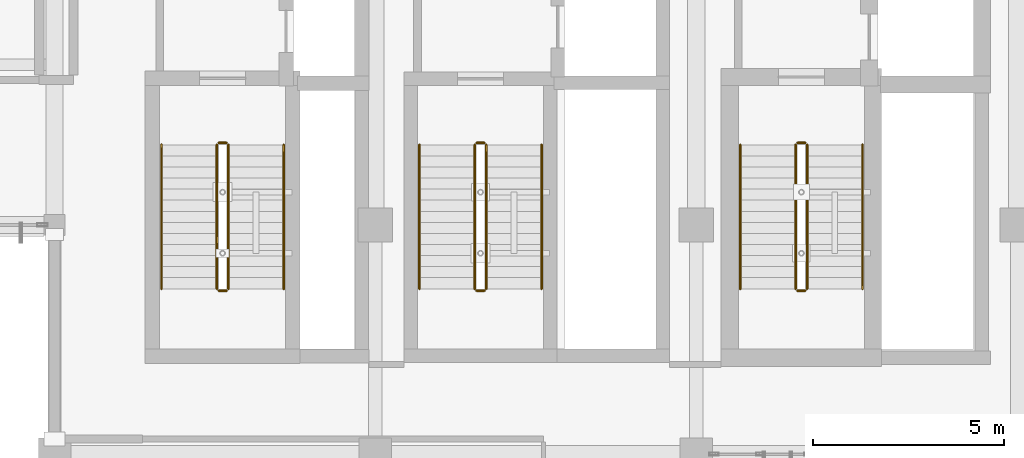
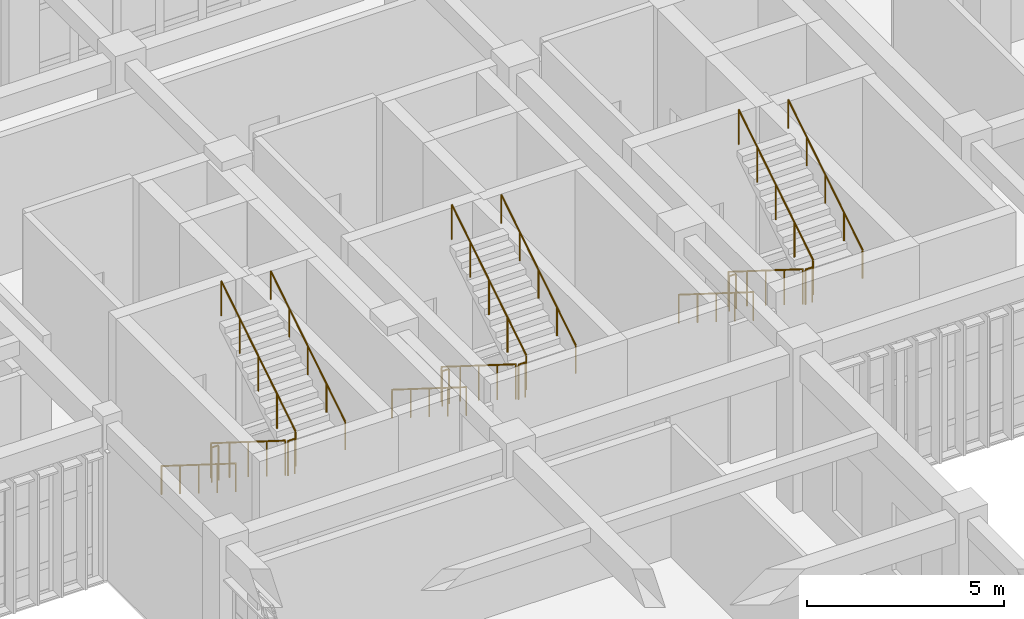
# One storey, part 106 of 106: 18 railings.
"""IFC4 building model written with IfcOpenShell, lengths in metres."""

from ifc_helpers import new_model, si_unit, direction, frame, origin, origin_2d, place, context, subcontext, project, spatial, circle, extrude, material, type_object, element, save


model = new_model("IFC4")

# Units and contexts
model_context = context("Model", 3, precision=1e-05, world=origin(), true_north=direction((0.0, 1.0)))
body_context = subcontext(model_context, "Body", "Model", "MODEL_VIEW")
ifc_project = project(units=[si_unit("LENGTHUNIT", "METRE"), si_unit("AREAUNIT", "SQUARE_METRE"), si_unit("VOLUMEUNIT", "CUBIC_METRE"), si_unit("PLANEANGLEUNIT", "RADIAN"), si_unit("MASSUNIT", "GRAM", prefix="KILO")], contexts=[model_context])

# Site, building, storey
site_placement = place(None, origin())
site = spatial("IfcSite", under=ifc_project, at=site_placement, CompositionType="ELEMENT")
building_placement = place(site_placement, origin())
building = spatial("IfcBuilding", under=site, at=building_placement, Name="Krzemoval Escarpment Law Courts", CompositionType="ELEMENT")
storey_placement = place(building_placement, frame((0.0, 0.0, 5.10009765625)))
storey = spatial("IfcBuildingStorey", under=building, at=storey_placement, Name="L01", CompositionType="ELEMENT", Elevation=5.10009765625)

# Railings
ifc_material_1 = material(Name="Galvanised Steel S355", Category="steel")
railing_type_1 = type_object("IfcRailingType", Name="RL-GRD-1100", PredefinedType="GUARDRAIL", material=ifc_material_1)
railing_1_placement = place(storey_placement, frame((130.25, 101.699951171875, 0.18212890625)))
element("IfcRailing", 1, at=railing_1_placement, inside=storey, type_object=railing_type_1, Name="L01 ST1 stair guard 1", PredefinedType="GUARDRAIL", context=body_context, shape_type="SweptSolid", body=[
    extrude(circle(Radius=0.02392578125, at=origin_2d()), frame((0.0, 0.0, 1.076171875), z_axis=(0.0, -0.846844037257, 0.531841307688), x_axis=(1.0, 0.0, 0.0)), (0.0, 0.0, 1.0), 4.451904296875),
    extrude(circle(Radius=0.02099609375, at=origin_2d()), origin(), (0.0, 0.0, 1.0), 1.052001953125),
    extrude(circle(Radius=0.02099609375, at=origin_2d()), frame((0.0, -0.9423828125, 0.591796875)), (0.0, 0.0, 1.0), 1.052001953125),
    extrude(circle(Radius=0.02099609375, at=origin_2d()), frame((0.0, -1.885009765625, 1.183837890625)), (0.0, 0.0, 1.0), 1.052001953125),
    extrude(circle(Radius=0.02099609375, at=origin_2d()), frame((0.0, -2.82763671875, 1.77587890625)), (0.0, 0.0, 1.0), 1.052001953125),
    extrude(circle(Radius=0.02099609375, at=origin_2d()), frame((0.0, -3.77001953125, 2.36767578125)), (0.0, 0.0, 1.0), 1.052001953125),
])
railing_2_placement = place(storey_placement, frame((130.300048828125, 97.8798828125, 2.5498046875)))
element("IfcRailing", 2, at=railing_2_placement, inside=storey, type_object=railing_type_1, Name="L01 ST1 stair guard 2", PredefinedType="GUARDRAIL", context=body_context, shape_type="SweptSolid", body=[
    extrude(circle(Radius=0.02392578125, at=origin_2d()), frame((0.0, 0.0, 1.076171875), z_axis=(1.0, 0.0, 0.0), x_axis=(0.0, 1.0, 0.0)), (0.0, 0.0, 1.0), 0.199951171875),
    extrude(circle(Radius=0.02099609375, at=origin_2d()), origin(), (0.0, 0.0, 1.0), 1.052001953125),
    extrude(circle(Radius=0.02099609375, at=origin_2d()), frame((0.199951171875, 0.0, 0.0)), (0.0, 0.0, 1.0), 1.052001953125),
])
railing_3_placement = place(storey_placement, frame((130.550048828125, 97.929931640625, 2.73193359375)))
element("IfcRailing", 3, at=railing_3_placement, inside=storey, type_object=railing_type_1, Name="L01 ST1 stair guard 3", PredefinedType="GUARDRAIL", context=body_context, shape_type="SweptSolid", body=[
    extrude(circle(Radius=0.02392578125, at=origin_2d()), frame((0.0, 0.0, 1.076171875), z_axis=(0.0, 0.846819337722, 0.53188063441), x_axis=(-1.0, 0.0, 0.0)), (0.0, 0.0, 1.0), 4.451904296875),
    extrude(circle(Radius=0.02099609375, at=origin_2d()), origin(), (0.0, 0.0, 1.0), 1.052001953125),
    extrude(circle(Radius=0.02099609375, at=origin_2d()), frame((0.0, 0.9423828125, 0.592041015625)), (0.0, 0.0, 1.0), 1.052001953125),
    extrude(circle(Radius=0.02099609375, at=origin_2d()), frame((0.0, 1.885009765625, 1.18408203125)), (0.0, 0.0, 1.0), 1.052001953125),
    extrude(circle(Radius=0.02099609375, at=origin_2d()), frame((0.0, 2.82763671875, 1.77587890625)), (0.0, 0.0, 1.0), 1.052001953125),
    extrude(circle(Radius=0.02099609375, at=origin_2d()), frame((0.0, 3.77001953125, 2.367919921875)), (0.0, 0.0, 1.0), 1.052001953125),
])
railing_4_placement = place(storey_placement, frame((130.300048828125, 101.75, 0.0)))
element("IfcRailing", 4, at=railing_4_placement, inside=storey, type_object=railing_type_1, Name="L01 ST1 stair guard 4", PredefinedType="GUARDRAIL", context=body_context, shape_type="SweptSolid", body=[
    extrude(circle(Radius=0.02392578125, at=origin_2d()), frame((0.0, 0.0, 1.076171875), z_axis=(1.0, 0.0, 0.0), x_axis=(0.0, 1.0, 0.0)), (0.0, 0.0, 1.0), 0.199951171875),
    extrude(circle(Radius=0.02099609375, at=origin_2d()), origin(), (0.0, 0.0, 1.0), 1.052001953125),
    extrude(circle(Radius=0.02099609375, at=origin_2d()), frame((0.199951171875, 0.0, 0.0)), (0.0, 0.0, 1.0), 1.052001953125),
])
railing_5_placement = place(storey_placement, frame((137.0, 101.699951171875, 0.18212890625)))
element("IfcRailing", 5, at=railing_5_placement, inside=storey, type_object=railing_type_1, Name="L01 ST2 stair guard 1", PredefinedType="GUARDRAIL", context=body_context, shape_type="SweptSolid", body=[
    extrude(circle(Radius=0.02392578125, at=origin_2d()), frame((0.0, 0.0, 1.076171875), z_axis=(0.0, -0.846844037257, 0.531841307688), x_axis=(1.0, 0.0, 0.0)), (0.0, 0.0, 1.0), 4.451904296875),
    extrude(circle(Radius=0.02099609375, at=origin_2d()), origin(), (0.0, 0.0, 1.0), 1.052001953125),
    extrude(circle(Radius=0.02099609375, at=origin_2d()), frame((0.0, -0.9423828125, 0.591796875)), (0.0, 0.0, 1.0), 1.052001953125),
    extrude(circle(Radius=0.02099609375, at=origin_2d()), frame((0.0, -1.885009765625, 1.183837890625)), (0.0, 0.0, 1.0), 1.052001953125),
    extrude(circle(Radius=0.02099609375, at=origin_2d()), frame((0.0, -2.82763671875, 1.77587890625)), (0.0, 0.0, 1.0), 1.052001953125),
    extrude(circle(Radius=0.02099609375, at=origin_2d()), frame((0.0, -3.77001953125, 2.36767578125)), (0.0, 0.0, 1.0), 1.052001953125),
])
railing_6_placement = place(storey_placement, frame((137.050048828125, 97.8798828125, 2.5498046875)))
element("IfcRailing", 6, at=railing_6_placement, inside=storey, type_object=railing_type_1, Name="L01 ST2 stair guard 2", PredefinedType="GUARDRAIL", context=body_context, shape_type="SweptSolid", body=[
    extrude(circle(Radius=0.02392578125, at=origin_2d()), frame((0.0, 0.0, 1.076171875), z_axis=(1.0, 0.0, 0.0), x_axis=(0.0, 1.0, 0.0)), (0.0, 0.0, 1.0), 0.199951171875),
    extrude(circle(Radius=0.02099609375, at=origin_2d()), origin(), (0.0, 0.0, 1.0), 1.052001953125),
    extrude(circle(Radius=0.02099609375, at=origin_2d()), frame((0.199951171875, 0.0, 0.0)), (0.0, 0.0, 1.0), 1.052001953125),
])
railing_7_placement = place(storey_placement, frame((137.300048828125, 97.929931640625, 2.73193359375)))
element("IfcRailing", 7, at=railing_7_placement, inside=storey, type_object=railing_type_1, Name="L01 ST2 stair guard 3", PredefinedType="GUARDRAIL", context=body_context, shape_type="SweptSolid", body=[
    extrude(circle(Radius=0.02392578125, at=origin_2d()), frame((0.0, 0.0, 1.076171875), z_axis=(0.0, 0.846819337722, 0.53188063441), x_axis=(-1.0, 0.0, 0.0)), (0.0, 0.0, 1.0), 4.451904296875),
    extrude(circle(Radius=0.02099609375, at=origin_2d()), origin(), (0.0, 0.0, 1.0), 1.052001953125),
    extrude(circle(Radius=0.02099609375, at=origin_2d()), frame((0.0, 0.9423828125, 0.592041015625)), (0.0, 0.0, 1.0), 1.052001953125),
    extrude(circle(Radius=0.02099609375, at=origin_2d()), frame((0.0, 1.885009765625, 1.18408203125)), (0.0, 0.0, 1.0), 1.052001953125),
    extrude(circle(Radius=0.02099609375, at=origin_2d()), frame((0.0, 2.82763671875, 1.77587890625)), (0.0, 0.0, 1.0), 1.052001953125),
    extrude(circle(Radius=0.02099609375, at=origin_2d()), frame((0.0, 3.77001953125, 2.367919921875)), (0.0, 0.0, 1.0), 1.052001953125),
])
railing_8_placement = place(storey_placement, frame((137.050048828125, 101.75, 0.0)))
element("IfcRailing", 8, at=railing_8_placement, inside=storey, type_object=railing_type_1, Name="L01 ST2 stair guard 4", PredefinedType="GUARDRAIL", context=body_context, shape_type="SweptSolid", body=[
    extrude(circle(Radius=0.02392578125, at=origin_2d()), frame((0.0, 0.0, 1.076171875), z_axis=(1.0, 0.0, 0.0), x_axis=(0.0, 1.0, 0.0)), (0.0, 0.0, 1.0), 0.199951171875),
    extrude(circle(Radius=0.02099609375, at=origin_2d()), origin(), (0.0, 0.0, 1.0), 1.052001953125),
    extrude(circle(Radius=0.02099609375, at=origin_2d()), frame((0.199951171875, 0.0, 0.0)), (0.0, 0.0, 1.0), 1.052001953125),
])
railing_9_placement = place(storey_placement, frame((145.39990234375, 101.699951171875, 0.18212890625)))
element("IfcRailing", 9, at=railing_9_placement, inside=storey, type_object=railing_type_1, Name="L01 ST3 stair guard 1", PredefinedType="GUARDRAIL", context=body_context, shape_type="SweptSolid", body=[
    extrude(circle(Radius=0.02392578125, at=origin_2d()), frame((0.0, 0.0, 1.076171875), z_axis=(0.0, -0.846844037257, 0.531841307688), x_axis=(1.0, 0.0, 0.0)), (0.0, 0.0, 1.0), 4.451904296875),
    extrude(circle(Radius=0.02099609375, at=origin_2d()), origin(), (0.0, 0.0, 1.0), 1.052001953125),
    extrude(circle(Radius=0.02099609375, at=origin_2d()), frame((0.0, -0.9423828125, 0.591796875)), (0.0, 0.0, 1.0), 1.052001953125),
    extrude(circle(Radius=0.02099609375, at=origin_2d()), frame((0.0, -1.885009765625, 1.183837890625)), (0.0, 0.0, 1.0), 1.052001953125),
    extrude(circle(Radius=0.02099609375, at=origin_2d()), frame((0.0, -2.82763671875, 1.77587890625)), (0.0, 0.0, 1.0), 1.052001953125),
    extrude(circle(Radius=0.02099609375, at=origin_2d()), frame((0.0, -3.77001953125, 2.36767578125)), (0.0, 0.0, 1.0), 1.052001953125),
])
railing_10_placement = place(storey_placement, frame((145.449951171875, 97.8798828125, 2.5498046875)))
element("IfcRailing", 10, at=railing_10_placement, inside=storey, type_object=railing_type_1, Name="L01 ST3 stair guard 2", PredefinedType="GUARDRAIL", context=body_context, shape_type="SweptSolid", body=[
    extrude(circle(Radius=0.02392578125, at=origin_2d()), frame((0.0, 0.0, 1.076171875), z_axis=(1.0, 0.0, 0.0), x_axis=(0.0, 1.0, 0.0)), (0.0, 0.0, 1.0), 0.199951171875),
    extrude(circle(Radius=0.02099609375, at=origin_2d()), origin(), (0.0, 0.0, 1.0), 1.052001953125),
    extrude(circle(Radius=0.02099609375, at=origin_2d()), frame((0.199951171875, 0.0, 0.0)), (0.0, 0.0, 1.0), 1.052001953125),
])
railing_11_placement = place(storey_placement, frame((145.699951171875, 97.929931640625, 2.73193359375)))
element("IfcRailing", 11, at=railing_11_placement, inside=storey, type_object=railing_type_1, Name="L01 ST3 stair guard 3", PredefinedType="GUARDRAIL", context=body_context, shape_type="SweptSolid", body=[
    extrude(circle(Radius=0.02392578125, at=origin_2d()), frame((0.0, 0.0, 1.076171875), z_axis=(0.0, 0.846819337722, 0.53188063441), x_axis=(-1.0, 0.0, 0.0)), (0.0, 0.0, 1.0), 4.451904296875),
    extrude(circle(Radius=0.02099609375, at=origin_2d()), origin(), (0.0, 0.0, 1.0), 1.052001953125),
    extrude(circle(Radius=0.02099609375, at=origin_2d()), frame((0.0, 0.9423828125, 0.592041015625)), (0.0, 0.0, 1.0), 1.052001953125),
    extrude(circle(Radius=0.02099609375, at=origin_2d()), frame((0.0, 1.885009765625, 1.18408203125)), (0.0, 0.0, 1.0), 1.052001953125),
    extrude(circle(Radius=0.02099609375, at=origin_2d()), frame((0.0, 2.82763671875, 1.77587890625)), (0.0, 0.0, 1.0), 1.052001953125),
    extrude(circle(Radius=0.02099609375, at=origin_2d()), frame((0.0, 3.77001953125, 2.367919921875)), (0.0, 0.0, 1.0), 1.052001953125),
])
railing_12_placement = place(storey_placement, frame((145.449951171875, 101.75, 0.0)))
element("IfcRailing", 12, at=railing_12_placement, inside=storey, type_object=railing_type_1, Name="L01 ST3 stair guard 4", PredefinedType="GUARDRAIL", context=body_context, shape_type="SweptSolid", body=[
    extrude(circle(Radius=0.02392578125, at=origin_2d()), frame((0.0, 0.0, 1.076171875), z_axis=(1.0, 0.0, 0.0), x_axis=(0.0, 1.0, 0.0)), (0.0, 0.0, 1.0), 0.199951171875),
    extrude(circle(Radius=0.02099609375, at=origin_2d()), origin(), (0.0, 0.0, 1.0), 1.052001953125),
    extrude(circle(Radius=0.02099609375, at=origin_2d()), frame((0.199951171875, 0.0, 0.0)), (0.0, 0.0, 1.0), 1.052001953125),
])
ifc_material_2 = material(Name="Brushed Stainless Steel Grade 304 Handrail", Category="steel")
railing_type_2 = type_object("IfcRailingType", Name="RL-HND-900", PredefinedType="HANDRAIL", material=ifc_material_2)
railing_13_placement = place(storey_placement, frame((128.800048828125, 101.699951171875, 0.18212890625)))
element("IfcRailing", 13, at=railing_13_placement, inside=storey, type_object=railing_type_2, Name="L01 ST1 stair handrail 1", PredefinedType="HANDRAIL", context=body_context, shape_type="SweptSolid", body=[
    extrude(circle(Radius=0.02392578125, at=origin_2d()), frame((0.0, 0.0, 0.8759765625), z_axis=(0.0, -0.846844037257, 0.531841307688), x_axis=(1.0, 0.0, 0.0)), (0.0, 0.0, 1.0), 4.451904296875),
    extrude(circle(Radius=0.02099609375, at=origin_2d()), origin(), (0.0, 0.0, 1.0), 0.851806640625),
    extrude(circle(Radius=0.02099609375, at=origin_2d()), frame((0.0, -0.9423828125, 0.591796875)), (0.0, 0.0, 1.0), 0.851806640625),
    extrude(circle(Radius=0.02099609375, at=origin_2d()), frame((0.0, -1.885009765625, 1.183837890625)), (0.0, 0.0, 1.0), 0.851806640625),
    extrude(circle(Radius=0.02099609375, at=origin_2d()), frame((0.0, -2.82763671875, 1.77587890625)), (0.0, 0.0, 1.0), 0.851806640625),
    extrude(circle(Radius=0.02099609375, at=origin_2d()), frame((0.0, -3.77001953125, 2.36767578125)), (0.0, 0.0, 1.0), 0.851806640625),
])
railing_14_placement = place(storey_placement, frame((132.0, 97.929931640625, 2.73193359375)))
element("IfcRailing", 14, at=railing_14_placement, inside=storey, type_object=railing_type_2, Name="L01 ST1 stair handrail 2", PredefinedType="HANDRAIL", context=body_context, shape_type="SweptSolid", body=[
    extrude(circle(Radius=0.02392578125, at=origin_2d()), frame((0.0, 0.0, 0.8759765625), z_axis=(0.0, 0.846819337722, 0.53188063441), x_axis=(-1.0, 0.0, 0.0)), (0.0, 0.0, 1.0), 4.451904296875),
    extrude(circle(Radius=0.02099609375, at=origin_2d()), origin(), (0.0, 0.0, 1.0), 0.851806640625),
    extrude(circle(Radius=0.02099609375, at=origin_2d()), frame((0.0, 0.9423828125, 0.592041015625)), (0.0, 0.0, 1.0), 0.851806640625),
    extrude(circle(Radius=0.02099609375, at=origin_2d()), frame((0.0, 1.885009765625, 1.18408203125)), (0.0, 0.0, 1.0), 0.851806640625),
    extrude(circle(Radius=0.02099609375, at=origin_2d()), frame((0.0, 2.82763671875, 1.77587890625)), (0.0, 0.0, 1.0), 0.851806640625),
    extrude(circle(Radius=0.02099609375, at=origin_2d()), frame((0.0, 3.77001953125, 2.367919921875)), (0.0, 0.0, 1.0), 0.851806640625),
])
railing_15_placement = place(storey_placement, frame((135.550048828125, 101.699951171875, 0.18212890625)))
element("IfcRailing", 15, at=railing_15_placement, inside=storey, type_object=railing_type_2, Name="L01 ST2 stair handrail 1", PredefinedType="HANDRAIL", context=body_context, shape_type="SweptSolid", body=[
    extrude(circle(Radius=0.02392578125, at=origin_2d()), frame((0.0, 0.0, 0.8759765625), z_axis=(0.0, -0.846844037257, 0.531841307688), x_axis=(1.0, 0.0, 0.0)), (0.0, 0.0, 1.0), 4.451904296875),
    extrude(circle(Radius=0.02099609375, at=origin_2d()), origin(), (0.0, 0.0, 1.0), 0.851806640625),
    extrude(circle(Radius=0.02099609375, at=origin_2d()), frame((0.0, -0.9423828125, 0.591796875)), (0.0, 0.0, 1.0), 0.851806640625),
    extrude(circle(Radius=0.02099609375, at=origin_2d()), frame((0.0, -1.885009765625, 1.183837890625)), (0.0, 0.0, 1.0), 0.851806640625),
    extrude(circle(Radius=0.02099609375, at=origin_2d()), frame((0.0, -2.82763671875, 1.77587890625)), (0.0, 0.0, 1.0), 0.851806640625),
    extrude(circle(Radius=0.02099609375, at=origin_2d()), frame((0.0, -3.77001953125, 2.36767578125)), (0.0, 0.0, 1.0), 0.851806640625),
])
railing_16_placement = place(storey_placement, frame((138.75, 97.929931640625, 2.73193359375)))
element("IfcRailing", 16, at=railing_16_placement, inside=storey, type_object=railing_type_2, Name="L01 ST2 stair handrail 2", PredefinedType="HANDRAIL", context=body_context, shape_type="SweptSolid", body=[
    extrude(circle(Radius=0.02392578125, at=origin_2d()), frame((0.0, 0.0, 0.8759765625), z_axis=(0.0, 0.846819337722, 0.53188063441), x_axis=(-1.0, 0.0, 0.0)), (0.0, 0.0, 1.0), 4.451904296875),
    extrude(circle(Radius=0.02099609375, at=origin_2d()), origin(), (0.0, 0.0, 1.0), 0.851806640625),
    extrude(circle(Radius=0.02099609375, at=origin_2d()), frame((0.0, 0.9423828125, 0.592041015625)), (0.0, 0.0, 1.0), 0.851806640625),
    extrude(circle(Radius=0.02099609375, at=origin_2d()), frame((0.0, 1.885009765625, 1.18408203125)), (0.0, 0.0, 1.0), 0.851806640625),
    extrude(circle(Radius=0.02099609375, at=origin_2d()), frame((0.0, 2.82763671875, 1.77587890625)), (0.0, 0.0, 1.0), 0.851806640625),
    extrude(circle(Radius=0.02099609375, at=origin_2d()), frame((0.0, 3.77001953125, 2.367919921875)), (0.0, 0.0, 1.0), 0.851806640625),
])
railing_17_placement = place(storey_placement, frame((143.949951171875, 101.699951171875, 0.18212890625)))
element("IfcRailing", 17, at=railing_17_placement, inside=storey, type_object=railing_type_2, Name="L01 ST3 stair handrail 1", PredefinedType="HANDRAIL", context=body_context, shape_type="SweptSolid", body=[
    extrude(circle(Radius=0.02392578125, at=origin_2d()), frame((0.0, 0.0, 0.8759765625), z_axis=(0.0, -0.846844037257, 0.531841307688), x_axis=(1.0, 0.0, 0.0)), (0.0, 0.0, 1.0), 4.451904296875),
    extrude(circle(Radius=0.02099609375, at=origin_2d()), origin(), (0.0, 0.0, 1.0), 0.851806640625),
    extrude(circle(Radius=0.02099609375, at=origin_2d()), frame((0.0, -0.9423828125, 0.591796875)), (0.0, 0.0, 1.0), 0.851806640625),
    extrude(circle(Radius=0.02099609375, at=origin_2d()), frame((0.0, -1.885009765625, 1.183837890625)), (0.0, 0.0, 1.0), 0.851806640625),
    extrude(circle(Radius=0.02099609375, at=origin_2d()), frame((0.0, -2.82763671875, 1.77587890625)), (0.0, 0.0, 1.0), 0.851806640625),
    extrude(circle(Radius=0.02099609375, at=origin_2d()), frame((0.0, -3.77001953125, 2.36767578125)), (0.0, 0.0, 1.0), 0.851806640625),
])
railing_18_placement = place(storey_placement, frame((147.14990234375, 97.929931640625, 2.73193359375)))
element("IfcRailing", 18, at=railing_18_placement, inside=storey, type_object=railing_type_2, Name="L01 ST3 stair handrail 2", PredefinedType="HANDRAIL", context=body_context, shape_type="SweptSolid", body=[
    extrude(circle(Radius=0.02392578125, at=origin_2d()), frame((0.0, 0.0, 0.8759765625), z_axis=(0.0, 0.846819337722, 0.53188063441), x_axis=(-1.0, 0.0, 0.0)), (0.0, 0.0, 1.0), 4.451904296875),
    extrude(circle(Radius=0.02099609375, at=origin_2d()), origin(), (0.0, 0.0, 1.0), 0.851806640625),
    extrude(circle(Radius=0.02099609375, at=origin_2d()), frame((0.0, 0.9423828125, 0.592041015625)), (0.0, 0.0, 1.0), 0.851806640625),
    extrude(circle(Radius=0.02099609375, at=origin_2d()), frame((0.0, 1.885009765625, 1.18408203125)), (0.0, 0.0, 1.0), 0.851806640625),
    extrude(circle(Radius=0.02099609375, at=origin_2d()), frame((0.0, 2.82763671875, 1.77587890625)), (0.0, 0.0, 1.0), 0.851806640625),
    extrude(circle(Radius=0.02099609375, at=origin_2d()), frame((0.0, 3.77001953125, 2.367919921875)), (0.0, 0.0, 1.0), 0.851806640625),
])

save(model, "model.ifc")
